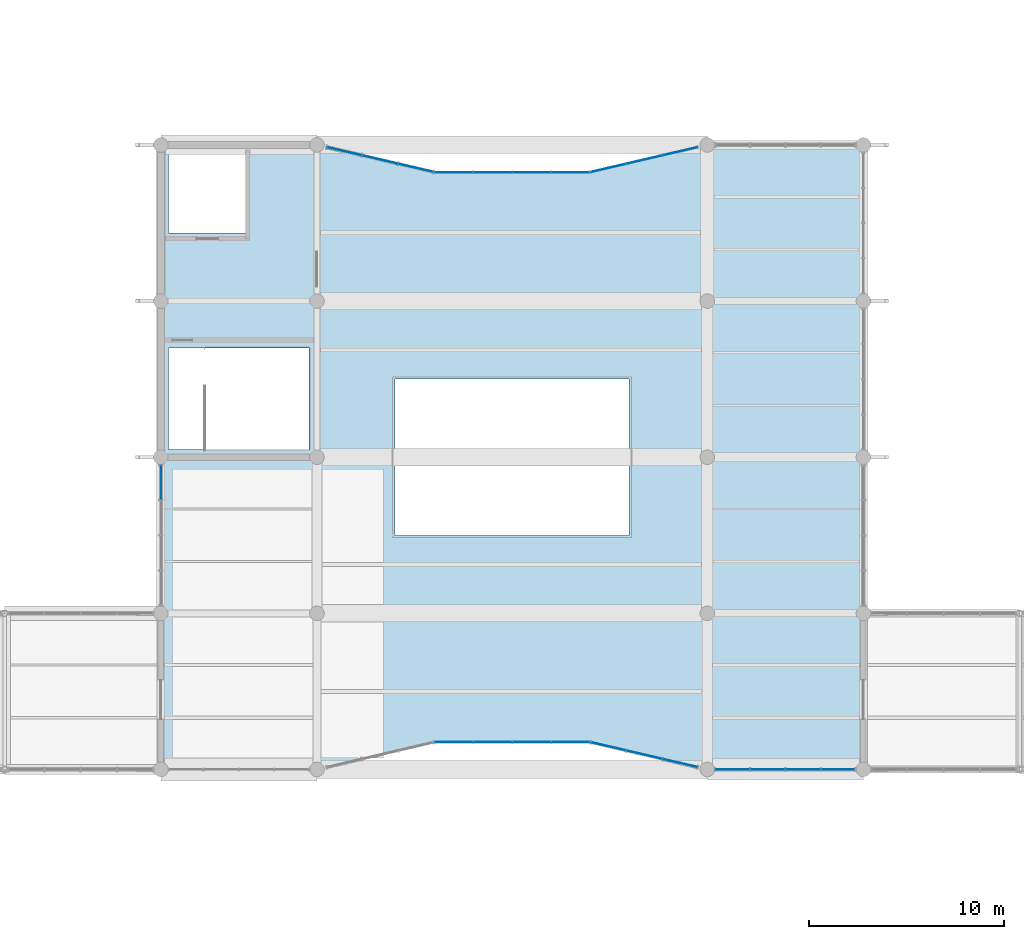
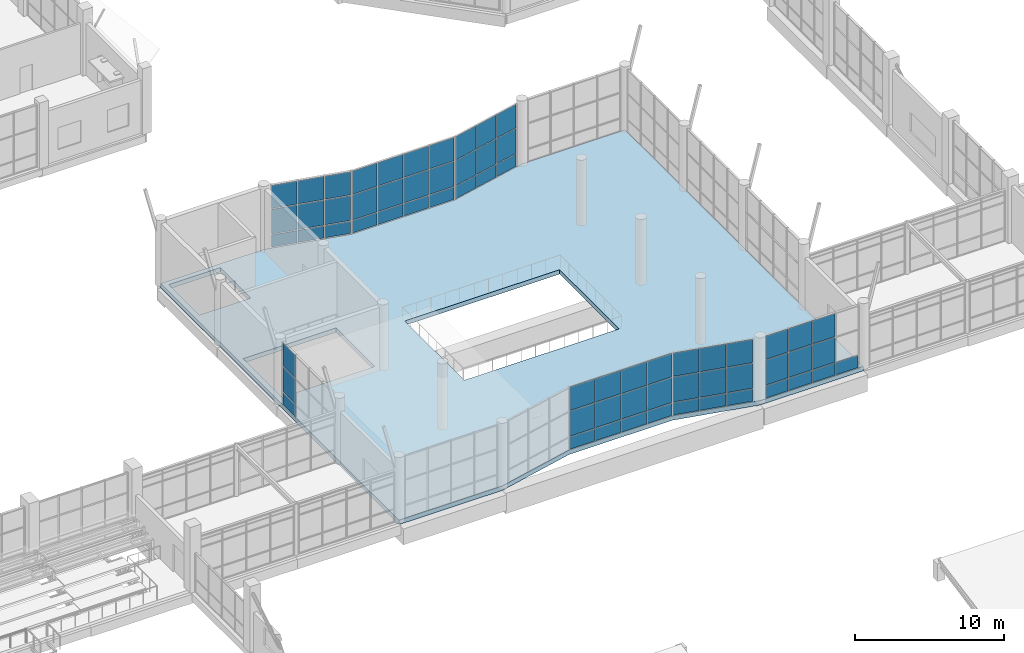
# One storey, part 75 of 122: 64 plates, 1 slab, 7 elements without a shape of their own.
"""IFC4 building model written with IfcOpenShell, lengths in metres."""

from ifc_helpers import new_model, si_unit, direction, frame, origin, origin_2d, place, context, subcontext, project, spatial, polyline, rectangle, outline, extrude, material, layer, layer_set, type_object, element, aggregate, save


model = new_model("IFC4")

# Units and contexts
model_context = context("Model", 3, precision=1e-05, world=origin(), true_north=direction((0.0, 1.0)))
body_context = subcontext(model_context, "Body", "Model", "MODEL_VIEW")
ifc_project = project(units=[si_unit("LENGTHUNIT", "METRE"), si_unit("AREAUNIT", "SQUARE_METRE"), si_unit("VOLUMEUNIT", "CUBIC_METRE"), si_unit("PLANEANGLEUNIT", "RADIAN"), si_unit("MASSUNIT", "GRAM", prefix="KILO")], contexts=[model_context])

# Site, building, storey
site_placement = place(None, origin())
site = spatial("IfcSite", under=ifc_project, at=site_placement, CompositionType="ELEMENT")
building_placement = place(site_placement, origin())
building = spatial("IfcBuilding", under=site, at=building_placement, Name="Tenunan Teduh Sports Hall", CompositionType="ELEMENT")
storey_placement = place(building_placement, frame((0.0, 0.0, 5.39990234375)))
storey = spatial("IfcBuildingStorey", under=building, at=storey_placement, Name="L01", CompositionType="ELEMENT", Elevation=5.39990234375)

# Curtain wall, plates
ifc_material_1 = material(Name="Anodised aluminium", Category="aluminium")
curtain_wall_type_1 = type_object("IfcCurtainWallType", Name="CW-UNIT-1", PredefinedType="NOTDEFINED", material=ifc_material_1)
curtain_wall_1_placement = place(storey_placement, origin())
curtain_wall_1 = element("IfcCurtainWall", 1, at=curtain_wall_1_placement, inside=storey, type_object=curtain_wall_type_1, Name="CW-CWM-200-L01-164", PredefinedType="NOTDEFINED")
ifc_material_2 = material(Name="Low-E laminated double glazing", Category="glass")
ifc_layer_1 = layer(ifc_material_2, 0.028076171875)
ifc_layer_set_1 = layer_set([ifc_layer_1], Name="Low-E laminated double glazing")
plate_type_1 = type_object("IfcPlateType", Name="CWP-GLZ-28", PredefinedType="CURTAIN_PANEL", material=ifc_layer_set_1)
plate_1_placement = place(storey_placement, frame((99.298828125, 38.0, 1.13525390625), z_axis=(0.0, 0.0, 1.0), x_axis=(1.0, 0.0, 0.0)))
plate_1 = element("IfcPlate", 2, at=plate_1_placement, type_object=plate_type_1, Name="CW-01 panel 1.2", PredefinedType="CURTAIN_PANEL", context=body_context, shape_type="SweptSolid", body=[
    extrude(rectangle(XDim=1.70751953125, YDim=0.028076171875, at=origin_2d()), origin(), (0.0, 0.0, 1.0), 2.030029296875),
])
plate_2_placement = place(storey_placement, frame((99.298828125, 38.0, 3.235107421875), z_axis=(0.0, 0.0, 1.0), x_axis=(1.0, 0.0, 0.0)))
plate_2 = element("IfcPlate", 3, at=plate_2_placement, type_object=plate_type_1, Name="CW-01 panel 1.3", PredefinedType="CURTAIN_PANEL", context=body_context, shape_type="SweptSolid", body=[
    extrude(rectangle(XDim=1.70751953125, YDim=0.028076171875, at=origin_2d()), origin(), (0.0, 0.0, 1.0), 1.89501953125),
])
plate_3_placement = place(storey_placement, frame((101.09375, 38.0, 1.13525390625), z_axis=(0.0, 0.0, 1.0), x_axis=(1.0, 0.0, 0.0)))
plate_3 = element("IfcPlate", 4, at=plate_3_placement, type_object=plate_type_1, Name="CW-01 panel 2.2", PredefinedType="CURTAIN_PANEL", context=body_context, shape_type="SweptSolid", body=[
    extrude(rectangle(XDim=1.742431640625, YDim=0.028076171875, at=origin_2d()), origin(), (0.0, 0.0, 1.0), 2.030029296875),
])
plate_4_placement = place(storey_placement, frame((101.09375, 38.0, 3.235107421875), z_axis=(0.0, 0.0, 1.0), x_axis=(1.0, 0.0, 0.0)))
plate_4 = element("IfcPlate", 5, at=plate_4_placement, type_object=plate_type_1, Name="CW-01 panel 2.3", PredefinedType="CURTAIN_PANEL", context=body_context, shape_type="SweptSolid", body=[
    extrude(rectangle(XDim=1.742431640625, YDim=0.028076171875, at=origin_2d()), origin(), (0.0, 0.0, 1.0), 1.89501953125),
])
plate_5_placement = place(storey_placement, frame((102.90625, 38.0, 1.13525390625), z_axis=(0.0, 0.0, 1.0), x_axis=(1.0, 0.0, 0.0)))
plate_5 = element("IfcPlate", 6, at=plate_5_placement, type_object=plate_type_1, Name="CW-01 panel 3.2", PredefinedType="CURTAIN_PANEL", context=body_context, shape_type="SweptSolid", body=[
    extrude(rectangle(XDim=1.742431640625, YDim=0.028076171875, at=origin_2d()), origin(), (0.0, 0.0, 1.0), 2.030029296875),
])
plate_6_placement = place(storey_placement, frame((102.90625, 38.0, 3.235107421875), z_axis=(0.0, 0.0, 1.0), x_axis=(1.0, 0.0, 0.0)))
plate_6 = element("IfcPlate", 7, at=plate_6_placement, type_object=plate_type_1, Name="CW-01 panel 3.3", PredefinedType="CURTAIN_PANEL", context=body_context, shape_type="SweptSolid", body=[
    extrude(rectangle(XDim=1.742431640625, YDim=0.028076171875, at=origin_2d()), origin(), (0.0, 0.0, 1.0), 1.89501953125),
])

ifc_material_3 = material(Name="Anodised aluminium", Category="aluminium")
curtain_wall_type_2 = type_object("IfcCurtainWallType", Name="CW-FOYER-1", PredefinedType="NOTDEFINED", material=ifc_material_3)
curtain_wall_2_placement = place(storey_placement, origin())
curtain_wall_2 = element("IfcCurtainWall", 8, at=curtain_wall_2_placement, inside=storey, type_object=curtain_wall_type_2, Name="CW-CWM-200-L01-168", PredefinedType="NOTDEFINED")
plate_7_placement = place(storey_placement, frame((92.940185546875, 39.1806640625, 1.13525390625), z_axis=(0.0, 0.0, 1.0), x_axis=(0.973842247135, -0.227225169591, 0.0)))
plate_7 = element("IfcPlate", 9, at=plate_7_placement, type_object=plate_type_1, Name="CW-04 panel 1.2", PredefinedType="CURTAIN_PANEL", context=body_context, shape_type="SweptSolid", body=[
    extrude(rectangle(XDim=1.791015625, YDim=0.028076171875, at=origin_2d()), origin(), (0.0, 0.0, 1.0), 2.030029296875),
])
plate_8_placement = place(storey_placement, frame((92.940185546875, 39.1806640625, 3.235107421875), z_axis=(0.0, 0.0, 1.0), x_axis=(0.973842247135, -0.227225169591, 0.0)))
plate_8 = element("IfcPlate", 10, at=plate_8_placement, type_object=plate_type_1, Name="CW-04 panel 1.3", PredefinedType="CURTAIN_PANEL", context=body_context, shape_type="SweptSolid", body=[
    extrude(rectangle(XDim=1.791015625, YDim=0.028076171875, at=origin_2d()), origin(), (0.0, 0.0, 1.0), 1.89501953125),
])
plate_9_placement = place(storey_placement, frame((94.769775390625, 38.753662109375, 1.13525390625), z_axis=(0.0, 0.0, 1.0), x_axis=(0.973842247135, -0.227225169591, 0.0)))
plate_9 = element("IfcPlate", 11, at=plate_9_placement, type_object=plate_type_1, Name="CW-04 panel 2.2", PredefinedType="CURTAIN_PANEL", context=body_context, shape_type="SweptSolid", body=[
    extrude(rectangle(XDim=1.826171875, YDim=0.028076171875, at=origin_2d()), origin(), (0.0, 0.0, 1.0), 2.030029296875),
])
plate_10_placement = place(storey_placement, frame((94.769775390625, 38.753662109375, 3.235107421875), z_axis=(0.0, 0.0, 1.0), x_axis=(0.973842247135, -0.227225169591, 0.0)))
plate_10 = element("IfcPlate", 12, at=plate_10_placement, type_object=plate_type_1, Name="CW-04 panel 2.3", PredefinedType="CURTAIN_PANEL", context=body_context, shape_type="SweptSolid", body=[
    extrude(rectangle(XDim=1.826171875, YDim=0.028076171875, at=origin_2d()), origin(), (0.0, 0.0, 1.0), 1.89501953125),
])
plate_11_placement = place(storey_placement, frame((96.59912109375, 38.326904296875, 1.13525390625), z_axis=(0.0, 0.0, 1.0), x_axis=(0.973842247135, -0.227225169591, 0.0)))
plate_11 = element("IfcPlate", 13, at=plate_11_placement, type_object=plate_type_1, Name="CW-04 panel 3.2", PredefinedType="CURTAIN_PANEL", context=body_context, shape_type="SweptSolid", body=[
    extrude(rectangle(XDim=1.791015625, YDim=0.028076171875, at=origin_2d()), origin(), (0.0, 0.0, 1.0), 2.030029296875),
])
plate_12_placement = place(storey_placement, frame((96.59912109375, 38.326904296875, 3.235107421875), z_axis=(0.0, 0.0, 1.0), x_axis=(0.973842247135, -0.227225169591, 0.0)))
plate_12 = element("IfcPlate", 14, at=plate_12_placement, type_object=plate_type_1, Name="CW-04 panel 3.3", PredefinedType="CURTAIN_PANEL", context=body_context, shape_type="SweptSolid", body=[
    extrude(rectangle(XDim=1.791015625, YDim=0.028076171875, at=origin_2d()), origin(), (0.0, 0.0, 1.0), 1.89501953125),
])

curtain_wall_3_placement = place(storey_placement, origin())
curtain_wall_3 = element("IfcCurtainWall", 15, at=curtain_wall_3_placement, inside=storey, type_object=curtain_wall_type_2, Name="CW-CWM-175-L01-170", PredefinedType="NOTDEFINED")
plate_13_placement = place(storey_placement, frame((85.016357421875, 68.60009765625, 1.1328125), z_axis=(0.0, 0.0, 1.0), x_axis=(1.0, 0.0, 0.0)))
plate_13 = element("IfcPlate", 16, at=plate_13_placement, type_object=plate_type_1, Name="CW-04 panel 1.2", PredefinedType="CURTAIN_PANEL", context=body_context, shape_type="SweptSolid", body=[
    extrude(rectangle(XDim=1.902587890625, YDim=0.028076171875, at=origin_2d()), origin(), (0.0, 0.0, 1.0), 2.034912109375),
])
plate_14_placement = place(storey_placement, frame((85.016357421875, 68.60009765625, 3.232421875), z_axis=(0.0, 0.0, 1.0), x_axis=(1.0, 0.0, 0.0)))
plate_14 = element("IfcPlate", 17, at=plate_14_placement, type_object=plate_type_1, Name="CW-04 panel 1.3", PredefinedType="CURTAIN_PANEL", context=body_context, shape_type="SweptSolid", body=[
    extrude(rectangle(XDim=1.902587890625, YDim=0.028076171875, at=origin_2d()), origin(), (0.0, 0.0, 1.0), 1.902587890625),
])
plate_15_placement = place(storey_placement, frame((87.0, 68.60009765625, 1.1328125), z_axis=(0.0, 0.0, 1.0), x_axis=(1.0, 0.0, 0.0)))
plate_15 = element("IfcPlate", 18, at=plate_15_placement, type_object=plate_type_1, Name="CW-04 panel 2.2", PredefinedType="CURTAIN_PANEL", context=body_context, shape_type="SweptSolid", body=[
    extrude(rectangle(XDim=1.93505859375, YDim=0.028076171875, at=origin_2d()), origin(), (0.0, 0.0, 1.0), 2.034912109375),
])
plate_16_placement = place(storey_placement, frame((87.0, 68.60009765625, 3.232421875), z_axis=(0.0, 0.0, 1.0), x_axis=(1.0, 0.0, 0.0)))
plate_16 = element("IfcPlate", 19, at=plate_16_placement, type_object=plate_type_1, Name="CW-04 panel 2.3", PredefinedType="CURTAIN_PANEL", context=body_context, shape_type="SweptSolid", body=[
    extrude(rectangle(XDim=1.93505859375, YDim=0.028076171875, at=origin_2d()), origin(), (0.0, 0.0, 1.0), 1.902587890625),
])
plate_17_placement = place(storey_placement, frame((89.0, 68.60009765625, 1.1328125), z_axis=(0.0, 0.0, 1.0), x_axis=(1.0, 0.0, 0.0)))
plate_17 = element("IfcPlate", 20, at=plate_17_placement, type_object=plate_type_1, Name="CW-04 panel 3.2", PredefinedType="CURTAIN_PANEL", context=body_context, shape_type="SweptSolid", body=[
    extrude(rectangle(XDim=1.93505859375, YDim=0.028076171875, at=origin_2d()), origin(), (0.0, 0.0, 1.0), 2.034912109375),
])
plate_18_placement = place(storey_placement, frame((89.0, 68.60009765625, 3.232421875), z_axis=(0.0, 0.0, 1.0), x_axis=(1.0, 0.0, 0.0)))
plate_18 = element("IfcPlate", 21, at=plate_18_placement, type_object=plate_type_1, Name="CW-04 panel 3.3", PredefinedType="CURTAIN_PANEL", context=body_context, shape_type="SweptSolid", body=[
    extrude(rectangle(XDim=1.93505859375, YDim=0.028076171875, at=origin_2d()), origin(), (0.0, 0.0, 1.0), 1.902587890625),
])
plate_19_placement = place(storey_placement, frame((90.983642578125, 68.60009765625, 1.1328125), z_axis=(0.0, 0.0, 1.0), x_axis=(1.0, 0.0, 0.0)))
plate_19 = element("IfcPlate", 22, at=plate_19_placement, type_object=plate_type_1, Name="CW-04 panel 4.2", PredefinedType="CURTAIN_PANEL", context=body_context, shape_type="SweptSolid", body=[
    extrude(rectangle(XDim=1.902587890625, YDim=0.028076171875, at=origin_2d()), origin(), (0.0, 0.0, 1.0), 2.034912109375),
])
plate_20_placement = place(storey_placement, frame((90.983642578125, 68.60009765625, 3.232421875), z_axis=(0.0, 0.0, 1.0), x_axis=(1.0, 0.0, 0.0)))
plate_20 = element("IfcPlate", 23, at=plate_20_placement, type_object=plate_type_1, Name="CW-04 panel 4.3", PredefinedType="CURTAIN_PANEL", context=body_context, shape_type="SweptSolid", body=[
    extrude(rectangle(XDim=1.902587890625, YDim=0.028076171875, at=origin_2d()), origin(), (0.0, 0.0, 1.0), 1.902587890625),
])

curtain_wall_4_placement = place(storey_placement, origin())
curtain_wall_4 = element("IfcCurtainWall", 24, at=curtain_wall_4_placement, inside=storey, type_object=curtain_wall_type_1, Name="CW-CWM-200-L01-172", PredefinedType="NOTDEFINED")
plate_21_placement = place(storey_placement, frame((70.0, 52.701171875, 1.13525390625), z_axis=(0.0, 0.0, 1.0), x_axis=(0.0, 1.0, 0.0)))
plate_21 = element("IfcPlate", 25, at=plate_21_placement, type_object=plate_type_1, Name="CW-01 panel 4.2", PredefinedType="CURTAIN_PANEL", context=body_context, shape_type="SweptSolid", body=[
    extrude(rectangle(XDim=1.70751953125, YDim=0.028076171875, at=origin_2d()), origin(), (0.0, 0.0, 1.0), 2.030029296875),
])
plate_22_placement = place(storey_placement, frame((70.0, 52.701171875, 3.235107421875), z_axis=(0.0, 0.0, 1.0), x_axis=(0.0, 1.0, 0.0)))
plate_22 = element("IfcPlate", 26, at=plate_22_placement, type_object=plate_type_1, Name="CW-01 panel 4.3", PredefinedType="CURTAIN_PANEL", context=body_context, shape_type="SweptSolid", body=[
    extrude(rectangle(XDim=1.70751953125, YDim=0.028076171875, at=origin_2d()), origin(), (0.0, 0.0, 1.0), 1.89501953125),
])

curtain_wall_5_placement = place(storey_placement, origin())
curtain_wall_5 = element("IfcCurtainWall", 27, at=curtain_wall_5_placement, inside=storey, type_object=curtain_wall_type_2, Name="CW-CWM-150-L01-167", PredefinedType="NOTDEFINED")
ifc_material_4 = material(Name="Solar-control laminated glazing", Category="glass")
ifc_layer_2 = layer(ifc_material_4, 0.031982421875)
ifc_layer_set_2 = layer_set([ifc_layer_2], Name="Solar-control laminated glazing")
plate_type_2 = type_object("IfcPlateType", Name="CWP-GLZ-32", PredefinedType="CURTAIN_PANEL", material=ifc_layer_set_2)
plate_23_placement = place(storey_placement, frame((85.014892578125, 39.39990234375, 1.130126953125), z_axis=(0.0, 0.0, 1.0), x_axis=(1.0, 0.0, 0.0)))
plate_23 = element("IfcPlate", 28, at=plate_23_placement, type_object=plate_type_2, Name="CW-04 panel 1.2", PredefinedType="CURTAIN_PANEL", context=body_context, shape_type="SweptSolid", body=[
    extrude(rectangle(XDim=1.909912109375, YDim=0.031982421875, at=origin_2d()), origin(), (0.0, 0.0, 1.0), 2.0400390625),
])
plate_24_placement = place(storey_placement, frame((85.014892578125, 39.39990234375, 3.22998046875), z_axis=(0.0, 0.0, 1.0), x_axis=(1.0, 0.0, 0.0)))
plate_24 = element("IfcPlate", 29, at=plate_24_placement, type_object=plate_type_2, Name="CW-04 panel 1.3", PredefinedType="CURTAIN_PANEL", context=body_context, shape_type="SweptSolid", body=[
    extrude(rectangle(XDim=1.909912109375, YDim=0.031982421875, at=origin_2d()), origin(), (0.0, 0.0, 1.0), 1.909912109375),
])
plate_25_placement = place(storey_placement, frame((87.0, 39.39990234375, 1.130126953125), z_axis=(0.0, 0.0, 1.0), x_axis=(1.0, 0.0, 0.0)))
plate_25 = element("IfcPlate", 30, at=plate_25_placement, type_object=plate_type_2, Name="CW-04 panel 2.2", PredefinedType="CURTAIN_PANEL", context=body_context, shape_type="SweptSolid", body=[
    extrude(rectangle(XDim=1.93994140625, YDim=0.031982421875, at=origin_2d()), origin(), (0.0, 0.0, 1.0), 2.0400390625),
])
plate_26_placement = place(storey_placement, frame((87.0, 39.39990234375, 3.22998046875), z_axis=(0.0, 0.0, 1.0), x_axis=(1.0, 0.0, 0.0)))
plate_26 = element("IfcPlate", 31, at=plate_26_placement, type_object=plate_type_2, Name="CW-04 panel 2.3", PredefinedType="CURTAIN_PANEL", context=body_context, shape_type="SweptSolid", body=[
    extrude(rectangle(XDim=1.93994140625, YDim=0.031982421875, at=origin_2d()), origin(), (0.0, 0.0, 1.0), 1.909912109375),
])
plate_27_placement = place(storey_placement, frame((89.0, 39.39990234375, 1.130126953125), z_axis=(0.0, 0.0, 1.0), x_axis=(1.0, 0.0, 0.0)))
plate_27 = element("IfcPlate", 32, at=plate_27_placement, type_object=plate_type_2, Name="CW-04 panel 3.2", PredefinedType="CURTAIN_PANEL", context=body_context, shape_type="SweptSolid", body=[
    extrude(rectangle(XDim=1.93994140625, YDim=0.031982421875, at=origin_2d()), origin(), (0.0, 0.0, 1.0), 2.0400390625),
])
plate_28_placement = place(storey_placement, frame((89.0, 39.39990234375, 3.22998046875), z_axis=(0.0, 0.0, 1.0), x_axis=(1.0, 0.0, 0.0)))
plate_28 = element("IfcPlate", 33, at=plate_28_placement, type_object=plate_type_2, Name="CW-04 panel 3.3", PredefinedType="CURTAIN_PANEL", context=body_context, shape_type="SweptSolid", body=[
    extrude(rectangle(XDim=1.93994140625, YDim=0.031982421875, at=origin_2d()), origin(), (0.0, 0.0, 1.0), 1.909912109375),
])
plate_29_placement = place(storey_placement, frame((90.985107421875, 39.39990234375, 1.130126953125), z_axis=(0.0, 0.0, 1.0), x_axis=(1.0, 0.0, 0.0)))
plate_29 = element("IfcPlate", 34, at=plate_29_placement, type_object=plate_type_2, Name="CW-04 panel 4.2", PredefinedType="CURTAIN_PANEL", context=body_context, shape_type="SweptSolid", body=[
    extrude(rectangle(XDim=1.909912109375, YDim=0.031982421875, at=origin_2d()), origin(), (0.0, 0.0, 1.0), 2.0400390625),
])
plate_30_placement = place(storey_placement, frame((90.985107421875, 39.39990234375, 3.22998046875), z_axis=(0.0, 0.0, 1.0), x_axis=(1.0, 0.0, 0.0)))
plate_30 = element("IfcPlate", 35, at=plate_30_placement, type_object=plate_type_2, Name="CW-04 panel 4.3", PredefinedType="CURTAIN_PANEL", context=body_context, shape_type="SweptSolid", body=[
    extrude(rectangle(XDim=1.909912109375, YDim=0.031982421875, at=origin_2d()), origin(), (0.0, 0.0, 1.0), 1.909912109375),
])

curtain_wall_6_placement = place(storey_placement, origin())
curtain_wall_6 = element("IfcCurtainWall", 36, at=curtain_wall_6_placement, inside=storey, type_object=curtain_wall_type_2, Name="CW-CWM-220-L01-169", PredefinedType="NOTDEFINED")
plate_31_placement = place(storey_placement, frame((79.402099609375, 69.6728515625, 1.1376953125), z_axis=(0.0, 0.0, 1.0), x_axis=(0.973842247135, -0.227225169591, 0.0)))
plate_31 = element("IfcPlate", 37, at=plate_31_placement, type_object=plate_type_2, Name="CW-04 panel 1.2", PredefinedType="CURTAIN_PANEL", context=body_context, shape_type="SweptSolid", body=[
    extrude(rectangle(XDim=1.783447265625, YDim=0.031982421875, at=origin_2d()), origin(), (0.0, 0.0, 1.0), 2.02490234375),
])
plate_32_placement = place(storey_placement, frame((79.402099609375, 69.6728515625, 3.23779296875), z_axis=(0.0, 0.0, 1.0), x_axis=(0.973842247135, -0.227225169591, 0.0)))
plate_32 = element("IfcPlate", 38, at=plate_32_placement, type_object=plate_type_2, Name="CW-04 panel 1.3", PredefinedType="CURTAIN_PANEL", context=body_context, shape_type="SweptSolid", body=[
    extrude(rectangle(XDim=1.783447265625, YDim=0.031982421875, at=origin_2d()), origin(), (0.0, 0.0, 1.0), 1.887451171875),
])
plate_33_placement = place(storey_placement, frame((81.230224609375, 69.246337890625, 1.1376953125), z_axis=(0.0, 0.0, 1.0), x_axis=(0.973842247135, -0.227225169591, 0.0)))
plate_33 = element("IfcPlate", 39, at=plate_33_placement, type_object=plate_type_2, Name="CW-04 panel 2.2", PredefinedType="CURTAIN_PANEL", context=body_context, shape_type="SweptSolid", body=[
    extrude(rectangle(XDim=1.821044921875, YDim=0.031982421875, at=origin_2d()), origin(), (0.0, 0.0, 1.0), 2.02490234375),
])
plate_34_placement = place(storey_placement, frame((81.230224609375, 69.246337890625, 3.23779296875), z_axis=(0.0, 0.0, 1.0), x_axis=(0.973842247135, -0.227225169591, 0.0)))
plate_34 = element("IfcPlate", 40, at=plate_34_placement, type_object=plate_type_2, Name="CW-04 panel 2.3", PredefinedType="CURTAIN_PANEL", context=body_context, shape_type="SweptSolid", body=[
    extrude(rectangle(XDim=1.821044921875, YDim=0.031982421875, at=origin_2d()), origin(), (0.0, 0.0, 1.0), 1.887451171875),
])
plate_35_placement = place(storey_placement, frame((83.05859375, 68.819580078125, 1.1376953125), z_axis=(0.0, 0.0, 1.0), x_axis=(0.973842247135, -0.227225169591, 0.0)))
plate_35 = element("IfcPlate", 41, at=plate_35_placement, type_object=plate_type_2, Name="CW-04 panel 3.2", PredefinedType="CURTAIN_PANEL", context=body_context, shape_type="SweptSolid", body=[
    extrude(rectangle(XDim=1.783447265625, YDim=0.031982421875, at=origin_2d()), origin(), (0.0, 0.0, 1.0), 2.02490234375),
])
plate_36_placement = place(storey_placement, frame((83.05859375, 68.819580078125, 3.23779296875), z_axis=(0.0, 0.0, 1.0), x_axis=(0.973842247135, -0.227225169591, 0.0)))
plate_36 = element("IfcPlate", 42, at=plate_36_placement, type_object=plate_type_2, Name="CW-04 panel 3.3", PredefinedType="CURTAIN_PANEL", context=body_context, shape_type="SweptSolid", body=[
    extrude(rectangle(XDim=1.783447265625, YDim=0.031982421875, at=origin_2d()), origin(), (0.0, 0.0, 1.0), 1.887451171875),
])

curtain_wall_7_placement = place(storey_placement, origin())
curtain_wall_7 = element("IfcCurtainWall", 43, at=curtain_wall_7_placement, inside=storey, type_object=curtain_wall_type_2, Name="CW-CWM-150-L01-171", PredefinedType="NOTDEFINED")
plate_37_placement = place(storey_placement, frame((92.937744140625, 68.81884765625, 1.130126953125), z_axis=(0.0, 0.0, 1.0), x_axis=(0.973842247135, 0.227225169591, 0.0)))
plate_37 = element("IfcPlate", 44, at=plate_37_placement, type_object=plate_type_2, Name="CW-04 panel 1.2", PredefinedType="CURTAIN_PANEL", context=body_context, shape_type="SweptSolid", body=[
    extrude(rectangle(XDim=1.80615234375, YDim=0.031982421875, at=origin_2d()), origin(), (0.0, 0.0, 1.0), 2.0400390625),
])
plate_38_placement = place(storey_placement, frame((92.937744140625, 68.81884765625, 3.22998046875), z_axis=(0.0, 0.0, 1.0), x_axis=(0.973842247135, 0.227225169591, 0.0)))
plate_38 = element("IfcPlate", 45, at=plate_38_placement, type_object=plate_type_2, Name="CW-04 panel 1.3", PredefinedType="CURTAIN_PANEL", context=body_context, shape_type="SweptSolid", body=[
    extrude(rectangle(XDim=1.80615234375, YDim=0.031982421875, at=origin_2d()), origin(), (0.0, 0.0, 1.0), 1.909912109375),
])
plate_39_placement = place(storey_placement, frame((94.769775390625, 69.246337890625, 1.130126953125), z_axis=(0.0, 0.0, 1.0), x_axis=(0.973842247135, 0.227225169591, 0.0)))
plate_39 = element("IfcPlate", 46, at=plate_39_placement, type_object=plate_type_2, Name="CW-04 panel 2.2", PredefinedType="CURTAIN_PANEL", context=body_context, shape_type="SweptSolid", body=[
    extrude(rectangle(XDim=1.836181640625, YDim=0.031982421875, at=origin_2d()), origin(), (0.0, 0.0, 1.0), 2.0400390625),
])
plate_40_placement = place(storey_placement, frame((94.769775390625, 69.246337890625, 3.22998046875), z_axis=(0.0, 0.0, 1.0), x_axis=(0.973842247135, 0.227225169591, 0.0)))
plate_40 = element("IfcPlate", 47, at=plate_40_placement, type_object=plate_type_2, Name="CW-04 panel 2.3", PredefinedType="CURTAIN_PANEL", context=body_context, shape_type="SweptSolid", body=[
    extrude(rectangle(XDim=1.836181640625, YDim=0.031982421875, at=origin_2d()), origin(), (0.0, 0.0, 1.0), 1.909912109375),
])
plate_41_placement = place(storey_placement, frame((96.6015625, 69.673583984375, 1.130126953125), z_axis=(0.0, 0.0, 1.0), x_axis=(0.973842247135, 0.227225169591, 0.0)))
plate_41 = element("IfcPlate", 48, at=plate_41_placement, type_object=plate_type_2, Name="CW-04 panel 3.2", PredefinedType="CURTAIN_PANEL", context=body_context, shape_type="SweptSolid", body=[
    extrude(rectangle(XDim=1.80615234375, YDim=0.031982421875, at=origin_2d()), origin(), (0.0, 0.0, 1.0), 2.0400390625),
])
plate_42_placement = place(storey_placement, frame((96.6015625, 69.673583984375, 3.22998046875), z_axis=(0.0, 0.0, 1.0), x_axis=(0.973842247135, 0.227225169591, 0.0)))
plate_42 = element("IfcPlate", 49, at=plate_42_placement, type_object=plate_type_2, Name="CW-04 panel 3.3", PredefinedType="CURTAIN_PANEL", context=body_context, shape_type="SweptSolid", body=[
    extrude(rectangle(XDim=1.80615234375, YDim=0.031982421875, at=origin_2d()), origin(), (0.0, 0.0, 1.0), 1.909912109375),
])

# Plate
ifc_material_5 = material(Name="Insulated aluminium spandrel panel", Category="aluminium")
ifc_layer_3 = layer(ifc_material_5, 0.044921875)
ifc_layer_set_3 = layer_set([ifc_layer_3], Name="Insulated aluminium spandrel panel")
plate_type_3 = type_object("IfcPlateType", Name="CWP-SPN-45", PredefinedType="CURTAIN_PANEL", material=ifc_layer_set_3)
plate_43_placement = place(storey_placement, frame((99.298828125, 38.0, 0.070068359375), z_axis=(0.0, 0.0, 1.0), x_axis=(1.0, 0.0, 0.0)))
plate_43 = element("IfcPlate", 50, at=plate_43_placement, type_object=plate_type_3, Name="CW-01 panel 1.1", PredefinedType="CURTAIN_PANEL", context=body_context, shape_type="SweptSolid", body=[
    extrude(rectangle(XDim=1.70751953125, YDim=0.028076171875, at=origin_2d()), origin(), (0.0, 0.0, 1.0), 0.9951171875),
])

plate_44_placement = place(storey_placement, frame((101.09375, 38.0, 0.070068359375), z_axis=(0.0, 0.0, 1.0), x_axis=(1.0, 0.0, 0.0)))
plate_44 = element("IfcPlate", 51, at=plate_44_placement, type_object=plate_type_3, Name="CW-01 panel 2.1", PredefinedType="CURTAIN_PANEL", context=body_context, shape_type="SweptSolid", body=[
    extrude(rectangle(XDim=1.742431640625, YDim=0.028076171875, at=origin_2d()), origin(), (0.0, 0.0, 1.0), 0.9951171875),
])

plate_45_placement = place(storey_placement, frame((102.90625, 38.0, 0.070068359375), z_axis=(0.0, 0.0, 1.0), x_axis=(1.0, 0.0, 0.0)))
plate_45 = element("IfcPlate", 52, at=plate_45_placement, type_object=plate_type_3, Name="CW-01 panel 3.1", PredefinedType="CURTAIN_PANEL", context=body_context, shape_type="SweptSolid", body=[
    extrude(rectangle(XDim=1.742431640625, YDim=0.028076171875, at=origin_2d()), origin(), (0.0, 0.0, 1.0), 0.9951171875),
])

plate_46_placement = place(storey_placement, frame((104.701171875, 38.0, 0.070068359375), z_axis=(0.0, 0.0, 1.0), x_axis=(1.0, 0.0, 0.0)))
plate_46 = element("IfcPlate", 53, at=plate_46_placement, type_object=plate_type_3, Name="CW-01 panel 4.1", PredefinedType="CURTAIN_PANEL", context=body_context, shape_type="SweptSolid", body=[
    extrude(rectangle(XDim=1.70751953125, YDim=0.028076171875, at=origin_2d()), origin(), (0.0, 0.0, 1.0), 0.9951171875),
])

aggregate(curtain_wall_1, [plate_43, plate_1, plate_2, plate_44, plate_3, plate_4, plate_45, plate_5, plate_6, plate_46])

plate_47_placement = place(storey_placement, frame((85.014892578125, 39.39990234375, 0.06005859375), z_axis=(0.0, 0.0, 1.0), x_axis=(1.0, 0.0, 0.0)))
plate_47 = element("IfcPlate", 54, at=plate_47_placement, type_object=plate_type_3, Name="CW-04 panel 1.1", PredefinedType="CURTAIN_PANEL", context=body_context, shape_type="SweptSolid", body=[
    extrude(rectangle(XDim=1.909912109375, YDim=0.031982421875, at=origin_2d()), origin(), (0.0, 0.0, 1.0), 1.010009765625),
])

plate_48_placement = place(storey_placement, frame((87.0, 39.39990234375, 0.06005859375), z_axis=(0.0, 0.0, 1.0), x_axis=(1.0, 0.0, 0.0)))
plate_48 = element("IfcPlate", 55, at=plate_48_placement, type_object=plate_type_3, Name="CW-04 panel 2.1", PredefinedType="CURTAIN_PANEL", context=body_context, shape_type="SweptSolid", body=[
    extrude(rectangle(XDim=1.93994140625, YDim=0.031982421875, at=origin_2d()), origin(), (0.0, 0.0, 1.0), 1.010009765625),
])

plate_49_placement = place(storey_placement, frame((89.0, 39.39990234375, 0.06005859375), z_axis=(0.0, 0.0, 1.0), x_axis=(1.0, 0.0, 0.0)))
plate_49 = element("IfcPlate", 56, at=plate_49_placement, type_object=plate_type_3, Name="CW-04 panel 3.1", PredefinedType="CURTAIN_PANEL", context=body_context, shape_type="SweptSolid", body=[
    extrude(rectangle(XDim=1.93994140625, YDim=0.031982421875, at=origin_2d()), origin(), (0.0, 0.0, 1.0), 1.010009765625),
])

plate_50_placement = place(storey_placement, frame((90.985107421875, 39.39990234375, 0.06005859375), z_axis=(0.0, 0.0, 1.0), x_axis=(1.0, 0.0, 0.0)))
plate_50 = element("IfcPlate", 57, at=plate_50_placement, type_object=plate_type_3, Name="CW-04 panel 4.1", PredefinedType="CURTAIN_PANEL", context=body_context, shape_type="SweptSolid", body=[
    extrude(rectangle(XDim=1.909912109375, YDim=0.031982421875, at=origin_2d()), origin(), (0.0, 0.0, 1.0), 1.010009765625),
])

aggregate(curtain_wall_5, [plate_47, plate_23, plate_24, plate_48, plate_25, plate_26, plate_49, plate_27, plate_28, plate_50, plate_29, plate_30])

plate_51_placement = place(storey_placement, frame((92.940185546875, 39.1806640625, 0.070068359375), z_axis=(0.0, 0.0, 1.0), x_axis=(0.973842247135, -0.227225169591, 0.0)))
plate_51 = element("IfcPlate", 58, at=plate_51_placement, type_object=plate_type_3, Name="CW-04 panel 1.1", PredefinedType="CURTAIN_PANEL", context=body_context, shape_type="SweptSolid", body=[
    extrude(rectangle(XDim=1.791015625, YDim=0.028076171875, at=origin_2d()), origin(), (0.0, 0.0, 1.0), 0.9951171875),
])

plate_52_placement = place(storey_placement, frame((94.769775390625, 38.753662109375, 0.070068359375), z_axis=(0.0, 0.0, 1.0), x_axis=(0.973842247135, -0.227225169591, 0.0)))
plate_52 = element("IfcPlate", 59, at=plate_52_placement, type_object=plate_type_3, Name="CW-04 panel 2.1", PredefinedType="CURTAIN_PANEL", context=body_context, shape_type="SweptSolid", body=[
    extrude(rectangle(XDim=1.826171875, YDim=0.028076171875, at=origin_2d()), origin(), (0.0, 0.0, 1.0), 0.9951171875),
])

plate_53_placement = place(storey_placement, frame((96.59912109375, 38.326904296875, 0.070068359375), z_axis=(0.0, 0.0, 1.0), x_axis=(0.973842247135, -0.227225169591, 0.0)))
plate_53 = element("IfcPlate", 60, at=plate_53_placement, type_object=plate_type_3, Name="CW-04 panel 3.1", PredefinedType="CURTAIN_PANEL", context=body_context, shape_type="SweptSolid", body=[
    extrude(rectangle(XDim=1.791015625, YDim=0.028076171875, at=origin_2d()), origin(), (0.0, 0.0, 1.0), 0.9951171875),
])

aggregate(curtain_wall_2, [plate_51, plate_7, plate_8, plate_52, plate_9, plate_10, plate_53, plate_11, plate_12])

plate_54_placement = place(storey_placement, frame((79.402099609375, 69.6728515625, 0.0751953125), z_axis=(0.0, 0.0, 1.0), x_axis=(0.973842247135, -0.227225169591, 0.0)))
plate_54 = element("IfcPlate", 61, at=plate_54_placement, type_object=plate_type_3, Name="CW-04 panel 1.1", PredefinedType="CURTAIN_PANEL", context=body_context, shape_type="SweptSolid", body=[
    extrude(rectangle(XDim=1.783447265625, YDim=0.031982421875, at=origin_2d()), origin(), (0.0, 0.0, 1.0), 0.987548828125),
])

plate_55_placement = place(storey_placement, frame((81.230224609375, 69.246337890625, 0.0751953125), z_axis=(0.0, 0.0, 1.0), x_axis=(0.973842247135, -0.227225169591, 0.0)))
plate_55 = element("IfcPlate", 62, at=plate_55_placement, type_object=plate_type_3, Name="CW-04 panel 2.1", PredefinedType="CURTAIN_PANEL", context=body_context, shape_type="SweptSolid", body=[
    extrude(rectangle(XDim=1.821044921875, YDim=0.031982421875, at=origin_2d()), origin(), (0.0, 0.0, 1.0), 0.987548828125),
])

plate_56_placement = place(storey_placement, frame((83.05859375, 68.819580078125, 0.0751953125), z_axis=(0.0, 0.0, 1.0), x_axis=(0.973842247135, -0.227225169591, 0.0)))
plate_56 = element("IfcPlate", 63, at=plate_56_placement, type_object=plate_type_3, Name="CW-04 panel 3.1", PredefinedType="CURTAIN_PANEL", context=body_context, shape_type="SweptSolid", body=[
    extrude(rectangle(XDim=1.783447265625, YDim=0.031982421875, at=origin_2d()), origin(), (0.0, 0.0, 1.0), 0.987548828125),
])

aggregate(curtain_wall_6, [plate_54, plate_31, plate_32, plate_55, plate_33, plate_34, plate_56, plate_35, plate_36])

plate_57_placement = place(storey_placement, frame((85.016357421875, 68.60009765625, 0.065185546875), z_axis=(0.0, 0.0, 1.0), x_axis=(1.0, 0.0, 0.0)))
plate_57 = element("IfcPlate", 64, at=plate_57_placement, type_object=plate_type_3, Name="CW-04 panel 1.1", PredefinedType="CURTAIN_PANEL", context=body_context, shape_type="SweptSolid", body=[
    extrude(rectangle(XDim=1.902587890625, YDim=0.028076171875, at=origin_2d()), origin(), (0.0, 0.0, 1.0), 1.00244140625),
])

plate_58_placement = place(storey_placement, frame((87.0, 68.60009765625, 0.065185546875), z_axis=(0.0, 0.0, 1.0), x_axis=(1.0, 0.0, 0.0)))
plate_58 = element("IfcPlate", 65, at=plate_58_placement, type_object=plate_type_3, Name="CW-04 panel 2.1", PredefinedType="CURTAIN_PANEL", context=body_context, shape_type="SweptSolid", body=[
    extrude(rectangle(XDim=1.93505859375, YDim=0.028076171875, at=origin_2d()), origin(), (0.0, 0.0, 1.0), 1.00244140625),
])

plate_59_placement = place(storey_placement, frame((89.0, 68.60009765625, 0.065185546875), z_axis=(0.0, 0.0, 1.0), x_axis=(1.0, 0.0, 0.0)))
plate_59 = element("IfcPlate", 66, at=plate_59_placement, type_object=plate_type_3, Name="CW-04 panel 3.1", PredefinedType="CURTAIN_PANEL", context=body_context, shape_type="SweptSolid", body=[
    extrude(rectangle(XDim=1.93505859375, YDim=0.028076171875, at=origin_2d()), origin(), (0.0, 0.0, 1.0), 1.00244140625),
])

plate_60_placement = place(storey_placement, frame((90.983642578125, 68.60009765625, 0.065185546875), z_axis=(0.0, 0.0, 1.0), x_axis=(1.0, 0.0, 0.0)))
plate_60 = element("IfcPlate", 67, at=plate_60_placement, type_object=plate_type_3, Name="CW-04 panel 4.1", PredefinedType="CURTAIN_PANEL", context=body_context, shape_type="SweptSolid", body=[
    extrude(rectangle(XDim=1.902587890625, YDim=0.028076171875, at=origin_2d()), origin(), (0.0, 0.0, 1.0), 1.00244140625),
])

aggregate(curtain_wall_3, [plate_57, plate_13, plate_14, plate_58, plate_15, plate_16, plate_59, plate_17, plate_18, plate_60, plate_19, plate_20])

plate_61_placement = place(storey_placement, frame((92.937744140625, 68.81884765625, 0.06005859375), z_axis=(0.0, 0.0, 1.0), x_axis=(0.973842247135, 0.227225169591, 0.0)))
plate_61 = element("IfcPlate", 68, at=plate_61_placement, type_object=plate_type_3, Name="CW-04 panel 1.1", PredefinedType="CURTAIN_PANEL", context=body_context, shape_type="SweptSolid", body=[
    extrude(rectangle(XDim=1.80615234375, YDim=0.031982421875, at=origin_2d()), origin(), (0.0, 0.0, 1.0), 1.010009765625),
])

plate_62_placement = place(storey_placement, frame((94.769775390625, 69.246337890625, 0.06005859375), z_axis=(0.0, 0.0, 1.0), x_axis=(0.973842247135, 0.227225169591, 0.0)))
plate_62 = element("IfcPlate", 69, at=plate_62_placement, type_object=plate_type_3, Name="CW-04 panel 2.1", PredefinedType="CURTAIN_PANEL", context=body_context, shape_type="SweptSolid", body=[
    extrude(rectangle(XDim=1.836181640625, YDim=0.031982421875, at=origin_2d()), origin(), (0.0, 0.0, 1.0), 1.010009765625),
])

plate_63_placement = place(storey_placement, frame((96.6015625, 69.673583984375, 0.06005859375), z_axis=(0.0, 0.0, 1.0), x_axis=(0.973842247135, 0.227225169591, 0.0)))
plate_63 = element("IfcPlate", 70, at=plate_63_placement, type_object=plate_type_3, Name="CW-04 panel 3.1", PredefinedType="CURTAIN_PANEL", context=body_context, shape_type="SweptSolid", body=[
    extrude(rectangle(XDim=1.80615234375, YDim=0.031982421875, at=origin_2d()), origin(), (0.0, 0.0, 1.0), 1.010009765625),
])

aggregate(curtain_wall_7, [plate_61, plate_37, plate_38, plate_62, plate_39, plate_40, plate_63, plate_41, plate_42])

plate_64_placement = place(storey_placement, frame((70.0, 52.701171875, 0.070068359375), z_axis=(0.0, 0.0, 1.0), x_axis=(0.0, 1.0, 0.0)))
plate_64 = element("IfcPlate", 71, at=plate_64_placement, type_object=plate_type_3, Name="CW-01 panel 4.1", PredefinedType="CURTAIN_PANEL", context=body_context, shape_type="SweptSolid", body=[
    extrude(rectangle(XDim=1.70751953125, YDim=0.028076171875, at=origin_2d()), origin(), (0.0, 0.0, 1.0), 0.9951171875),
])

aggregate(curtain_wall_4, [plate_64, plate_21, plate_22])

# Slab
ifc_material_6 = material(Name="Post-tensioned concrete C50/60", Category="concrete")
ifc_layer_4 = layer(ifc_material_6, 0.360107421875)
ifc_layer_set_4 = layer_set([ifc_layer_4], Name="Post-tensioned concrete C50/60")
slab_type = type_object("IfcSlabType", Name="SLB-PT-360", PredefinedType="FLOOR", material=ifc_layer_set_4)
slab_placement = place(storey_placement, frame((0.0, 0.0, -0.35986328125)))
element("IfcSlab", 72, at=slab_placement, inside=storey, type_object=slab_type, Name="SL-L01-PT-V4", PredefinedType="FLOOR", context=body_context, shape_type="SweptSolid", body=[
    extrude(outline(polyline([(70.0, 38.0), (78.0, 38.0), (84.0, 39.39990234375), (92.0, 39.39990234375), (98.0, 38.0), (106.0, 38.0), (106.0, 70.0), (98.0, 70.0), (92.0, 68.60009765625), (84.0, 68.60009765625), (78.0, 70.0), (70.0, 70.0), (70.0, 38.0)]), holes=[polyline([(70.39990234375, 54.39990234375), (77.60009765625, 54.39990234375), (77.60009765625, 59.60009765625), (70.39990234375, 59.60009765625), (70.39990234375, 54.39990234375)]), polyline([(70.39990234375, 65.5), (74.39990234375, 65.5), (74.39990234375, 69.60009765625), (70.39990234375, 69.60009765625), (70.39990234375, 65.5)]), polyline([(82.0, 50.0), (94.0, 50.0), (94.0, 58.0), (82.0, 58.0), (82.0, 50.0)])]), origin(), (0.0, 0.0, 1.0), 0.35986328125),
])

save(model, "model.ifc")
